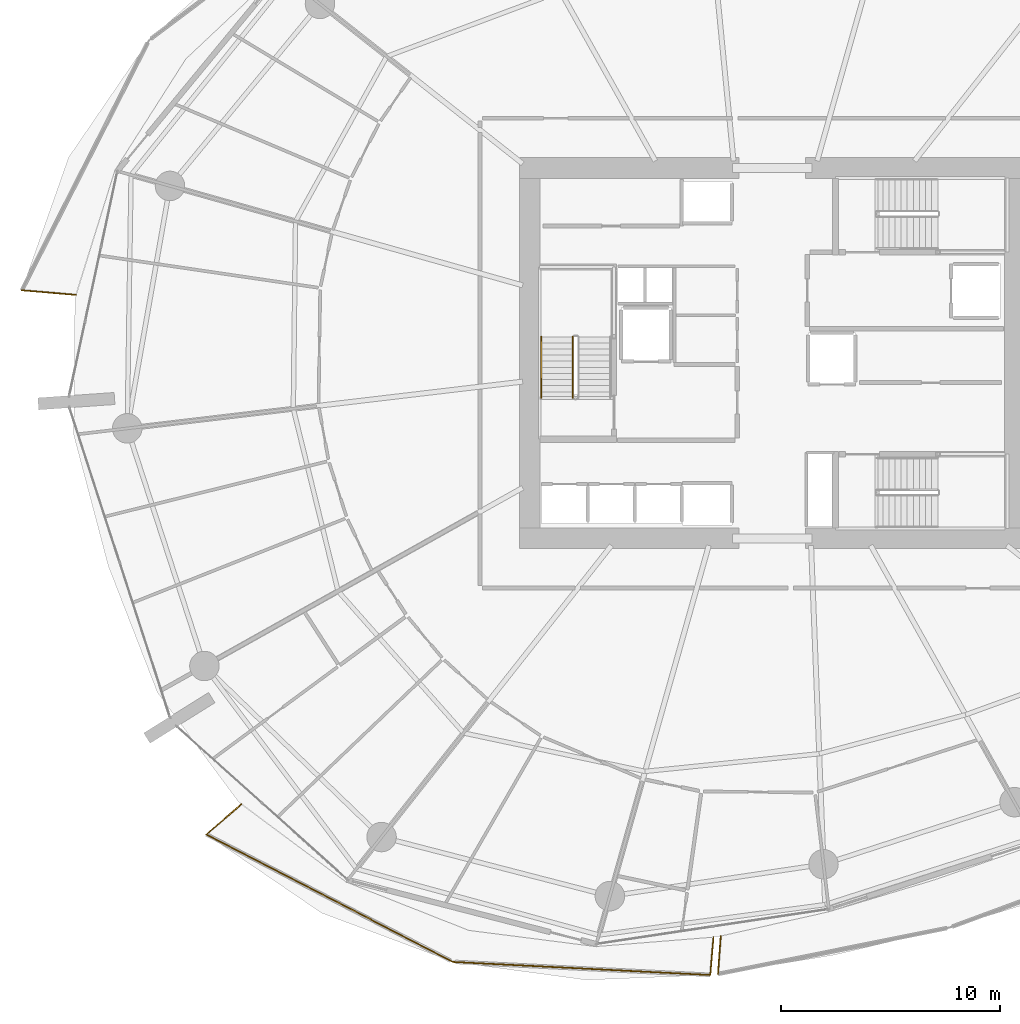
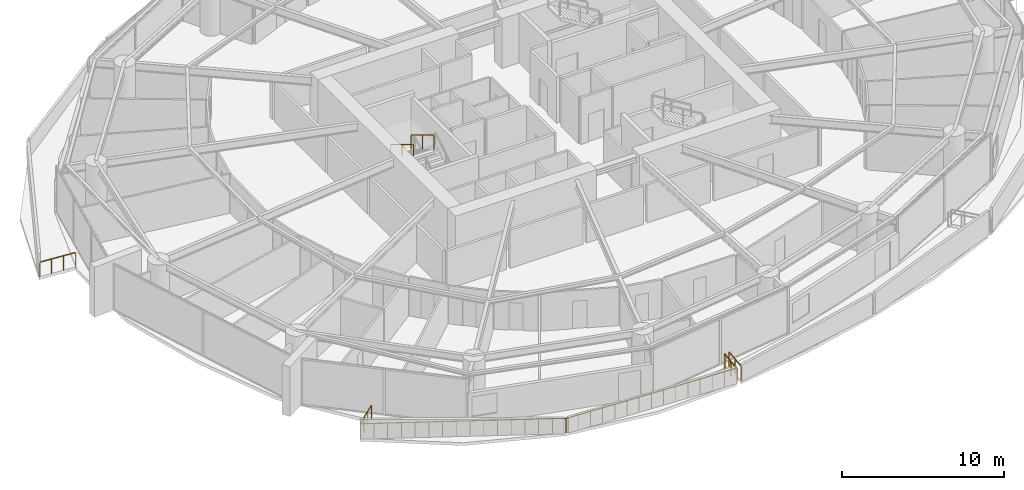
# One storey, part 25 of 31: 8 railings.
"""IFC4 building model written with IfcOpenShell, lengths in metres."""

from ifc_helpers import new_model, si_unit, direction, frame, origin, origin_2d, place, context, subcontext, project, spatial, rectangle, extrude, material, type_object, element, save


model = new_model("IFC4")

# Units and contexts
model_context = context("Model", 3, precision=1e-05, world=origin(), true_north=direction((0.0, 1.0)))
body_context = subcontext(model_context, "Body", "Model", "MODEL_VIEW")
ifc_project = project(units=[si_unit("LENGTHUNIT", "METRE"), si_unit("AREAUNIT", "SQUARE_METRE"), si_unit("VOLUMEUNIT", "CUBIC_METRE"), si_unit("PLANEANGLEUNIT", "RADIAN"), si_unit("MASSUNIT", "GRAM", prefix="KILO")], contexts=[model_context])

# Site, building, storey
site_placement = place(None, origin())
site = spatial("IfcSite", under=ifc_project, at=site_placement, CompositionType="ELEMENT")
building_placement = place(site_placement, origin())
building = spatial("IfcBuilding", under=site, at=building_placement, Name="Kazma Halo Residences", CompositionType="ELEMENT")
storey_placement = place(building_placement, frame((0.0, 0.0, 37.64990234375)))
storey = spatial("IfcBuildingStorey", under=building, at=storey_placement, Name="L08", CompositionType="ELEMENT", Elevation=37.64990234375)

# Railings
ifc_material_1 = material(Name="Aluminium AW-6063 T6 Brushed Cap Rail", Category="aluminium")
railing_type_1 = type_object("IfcRailingType", Name="RLG-BAL-CAP-1120", PredefinedType="BALUSTRADE", material=ifc_material_1)
railing_1_placement = place(storey_placement, frame((14.075439453125, 44.87841796875, 0.0)))
element("IfcRailing", 1, at=railing_1_placement, inside=storey, type_object=railing_type_1, Name="L08 NW wave balcony guard 4", PredefinedType="BALUSTRADE", context=body_context, shape_type="SweptSolid", body=[
    extrude(rectangle(XDim=0.050048828125, YDim=0.050048828125, at=origin_2d()), frame((0.04248046875, -0.003662109375, 1.09521484375), z_axis=(0.99642606074, -0.084469553555, 0.0), x_axis=(0.084469553555, 0.99642606074, 0.0)), (0.0, 0.0, 1.0), 2.397705078125),
    extrude(rectangle(XDim=0.0400390625, YDim=0.0400390625, at=origin_2d()), origin(), (0.0, 0.0, 1.0), 1.05810546875),
    extrude(rectangle(XDim=0.0400390625, YDim=0.0400390625, at=origin_2d()), frame((0.82470703125, -0.06982421875, 0.0)), (0.0, 0.0, 1.0), 1.05810546875),
    extrude(rectangle(XDim=0.0400390625, YDim=0.0400390625, at=origin_2d()), frame((1.649169921875, -0.139892578125, 0.0)), (0.0, 0.0, 1.0), 1.05810546875),
    extrude(rectangle(XDim=0.0400390625, YDim=0.0400390625, at=origin_2d()), frame((2.473876953125, -0.209716796875, 0.0)), (0.0, 0.0, 1.0), 1.05810546875),
])
railing_2_placement = place(storey_placement, frame((24.124267578125, 21.354736328125, 0.0)))
element("IfcRailing", 2, at=railing_2_placement, inside=storey, type_object=railing_type_1, Name="L08 SW wave balcony guard 1", PredefinedType="BALUSTRADE", context=body_context, shape_type="SweptSolid", body=[
    extrude(rectangle(XDim=0.050048828125, YDim=0.050048828125, at=origin_2d()), frame((-0.0322265625, -0.02783203125, 1.09521484375), z_axis=(-0.756401812862, -0.65410725229, 0.0), x_axis=(0.65410725229, -0.756401812862, 0.0)), (0.0, 0.0, 1.0), 2.027099609375),
    extrude(rectangle(XDim=0.0400390625, YDim=0.0400390625, at=origin_2d()), origin(), (0.0, 0.0, 1.0), 1.05810546875),
    extrude(rectangle(XDim=0.0400390625, YDim=0.0400390625, at=origin_2d()), frame((-0.532470703125, -0.46044921875, 0.0)), (0.0, 0.0, 1.0), 1.05810546875),
    extrude(rectangle(XDim=0.0400390625, YDim=0.0400390625, at=origin_2d()), frame((-1.065185546875, -0.921142578125, 0.0)), (0.0, 0.0, 1.0), 1.05810546875),
    extrude(rectangle(XDim=0.0400390625, YDim=0.0400390625, at=origin_2d()), frame((-1.59765625, -1.381591796875, 0.0)), (0.0, 0.0, 1.0), 1.05810546875),
])
railing_3_placement = place(storey_placement, frame((22.526611328125, 19.97314453125, 0.0)))
element("IfcRailing", 3, at=railing_3_placement, inside=storey, type_object=railing_type_1, Name="L08 SW wave balcony guard 2", PredefinedType="BALUSTRADE", context=body_context, shape_type="SweptSolid", body=[
    extrude(rectangle(XDim=0.050048828125, YDim=0.050048828125, at=origin_2d()), frame((0.037841796875, -0.01953125, 1.09521484375), z_axis=(0.888173808226, -0.459507656499, 0.0), x_axis=(0.459507656499, 0.888173808226, 0.0)), (0.0, 0.0, 1.0), 12.612060546875),
    extrude(rectangle(XDim=0.0400390625, YDim=0.0400390625, at=origin_2d()), origin(), (0.0, 0.0, 1.0), 1.05810546875),
    extrude(rectangle(XDim=0.0400390625, YDim=0.0400390625, at=origin_2d()), frame((0.751708984375, -0.388916015625, 0.0)), (0.0, 0.0, 1.0), 1.05810546875),
    extrude(rectangle(XDim=0.0400390625, YDim=0.0400390625, at=origin_2d()), frame((1.503662109375, -0.77783203125, 0.0)), (0.0, 0.0, 1.0), 1.05810546875),
    extrude(rectangle(XDim=0.0400390625, YDim=0.0400390625, at=origin_2d()), frame((2.25537109375, -1.1669921875, 0.0)), (0.0, 0.0, 1.0), 1.05810546875),
    extrude(rectangle(XDim=0.0400390625, YDim=0.0400390625, at=origin_2d()), frame((3.00732421875, -1.555908203125, 0.0)), (0.0, 0.0, 1.0), 1.05810546875),
    extrude(rectangle(XDim=0.0400390625, YDim=0.0400390625, at=origin_2d()), frame((3.759033203125, -1.94482421875, 0.0)), (0.0, 0.0, 1.0), 1.05810546875),
    extrude(rectangle(XDim=0.0400390625, YDim=0.0400390625, at=origin_2d()), frame((4.510986328125, -2.333740234375, 0.0)), (0.0, 0.0, 1.0), 1.05810546875),
    extrude(rectangle(XDim=0.0400390625, YDim=0.0400390625, at=origin_2d()), frame((5.2626953125, -2.72265625, 0.0)), (0.0, 0.0, 1.0), 1.05810546875),
    extrude(rectangle(XDim=0.0400390625, YDim=0.0400390625, at=origin_2d()), frame((6.0146484375, -3.11181640625, 0.0)), (0.0, 0.0, 1.0), 1.05810546875),
    extrude(rectangle(XDim=0.0400390625, YDim=0.0400390625, at=origin_2d()), frame((6.766357421875, -3.500732421875, 0.0)), (0.0, 0.0, 1.0), 1.05810546875),
    extrude(rectangle(XDim=0.0400390625, YDim=0.0400390625, at=origin_2d()), frame((7.518310546875, -3.8896484375, 0.0)), (0.0, 0.0, 1.0), 1.05810546875),
    extrude(rectangle(XDim=0.0400390625, YDim=0.0400390625, at=origin_2d()), frame((8.27001953125, -4.278564453125, 0.0)), (0.0, 0.0, 1.0), 1.05810546875),
    extrude(rectangle(XDim=0.0400390625, YDim=0.0400390625, at=origin_2d()), frame((9.02197265625, -4.66748046875, 0.0)), (0.0, 0.0, 1.0), 1.05810546875),
    extrude(rectangle(XDim=0.0400390625, YDim=0.0400390625, at=origin_2d()), frame((9.773681640625, -5.056640625, 0.0)), (0.0, 0.0, 1.0), 1.05810546875),
    extrude(rectangle(XDim=0.0400390625, YDim=0.0400390625, at=origin_2d()), frame((10.525634765625, -5.445556640625, 0.0)), (0.0, 0.0, 1.0), 1.05810546875),
    extrude(rectangle(XDim=0.0400390625, YDim=0.0400390625, at=origin_2d()), frame((11.27734375, -5.83447265625, 0.0)), (0.0, 0.0, 1.0), 1.05810546875),
])
railing_4_placement = place(storey_placement, frame((33.803955078125, 14.138671875, 0.0)))
element("IfcRailing", 4, at=railing_4_placement, inside=storey, type_object=railing_type_1, Name="L08 SW wave balcony guard 3", PredefinedType="BALUSTRADE", context=body_context, shape_type="SweptSolid", body=[
    extrude(rectangle(XDim=0.050048828125, YDim=0.050048828125, at=origin_2d()), frame((0.04248046875, -0.002197265625, 1.09521484375), z_axis=(0.998712596491, -0.050726222107, 0.0), x_axis=(0.050726222107, 0.998712596491, 0.0)), (0.0, 0.0, 1.0), 11.71142578125),
    extrude(rectangle(XDim=0.0400390625, YDim=0.0400390625, at=origin_2d()), origin(), (0.0, 0.0, 1.0), 1.05810546875),
    extrude(rectangle(XDim=0.0400390625, YDim=0.0400390625, at=origin_2d()), frame((0.841552734375, -0.042724609375, 0.0)), (0.0, 0.0, 1.0), 1.05810546875),
    extrude(rectangle(XDim=0.0400390625, YDim=0.0400390625, at=origin_2d()), frame((1.68310546875, -0.08544921875, 0.0)), (0.0, 0.0, 1.0), 1.05810546875),
    extrude(rectangle(XDim=0.0400390625, YDim=0.0400390625, at=origin_2d()), frame((2.524658203125, -0.128173828125, 0.0)), (0.0, 0.0, 1.0), 1.05810546875),
    extrude(rectangle(XDim=0.0400390625, YDim=0.0400390625, at=origin_2d()), frame((3.365966796875, -0.1708984375, 0.0)), (0.0, 0.0, 1.0), 1.05810546875),
    extrude(rectangle(XDim=0.0400390625, YDim=0.0400390625, at=origin_2d()), frame((4.20751953125, -0.213623046875, 0.0)), (0.0, 0.0, 1.0), 1.05810546875),
    extrude(rectangle(XDim=0.0400390625, YDim=0.0400390625, at=origin_2d()), frame((5.049072265625, -0.25634765625, 0.0)), (0.0, 0.0, 1.0), 1.05810546875),
    extrude(rectangle(XDim=0.0400390625, YDim=0.0400390625, at=origin_2d()), frame((5.890625, -0.29931640625, 0.0)), (0.0, 0.0, 1.0), 1.05810546875),
    extrude(rectangle(XDim=0.0400390625, YDim=0.0400390625, at=origin_2d()), frame((6.732177734375, -0.342041015625, 0.0)), (0.0, 0.0, 1.0), 1.05810546875),
    extrude(rectangle(XDim=0.0400390625, YDim=0.0400390625, at=origin_2d()), frame((7.57373046875, -0.384765625, 0.0)), (0.0, 0.0, 1.0), 1.05810546875),
    extrude(rectangle(XDim=0.0400390625, YDim=0.0400390625, at=origin_2d()), frame((8.415283203125, -0.427490234375, 0.0)), (0.0, 0.0, 1.0), 1.05810546875),
    extrude(rectangle(XDim=0.0400390625, YDim=0.0400390625, at=origin_2d()), frame((9.256591796875, -0.47021484375, 0.0)), (0.0, 0.0, 1.0), 1.05810546875),
    extrude(rectangle(XDim=0.0400390625, YDim=0.0400390625, at=origin_2d()), frame((10.09814453125, -0.512939453125, 0.0)), (0.0, 0.0, 1.0), 1.05810546875),
    extrude(rectangle(XDim=0.0400390625, YDim=0.0400390625, at=origin_2d()), frame((10.939697265625, -0.5556640625, 0.0)), (0.0, 0.0, 1.0), 1.05810546875),
    extrude(rectangle(XDim=0.0400390625, YDim=0.0400390625, at=origin_2d()), frame((11.78125, -0.598388671875, 0.0)), (0.0, 0.0, 1.0), 1.05810546875),
])
railing_5_placement = place(storey_placement, frame((45.585205078125, 13.540283203125, 0.0)))
element("IfcRailing", 5, at=railing_5_placement, inside=storey, type_object=railing_type_1, Name="L08 SW wave balcony guard 4", PredefinedType="BALUSTRADE", context=body_context, shape_type="SweptSolid", body=[
    extrude(rectangle(XDim=0.050048828125, YDim=0.050048828125, at=origin_2d()), frame((0.003662109375, 0.04248046875, 1.09521484375), z_axis=(0.084511701188, 0.996422486881, 0.0), x_axis=(-0.996422486881, 0.084511701188, 0.0)), (0.0, 0.0, 1.0), 1.651123046875),
    extrude(rectangle(XDim=0.0400390625, YDim=0.0400390625, at=origin_2d()), origin(), (0.0, 0.0, 1.0), 1.05810546875),
    extrude(rectangle(XDim=0.0400390625, YDim=0.0400390625, at=origin_2d()), frame((0.0732421875, 0.864990234375, 0.0)), (0.0, 0.0, 1.0), 1.05810546875),
    extrude(rectangle(XDim=0.0400390625, YDim=0.0400390625, at=origin_2d()), frame((0.146728515625, 1.72998046875, 0.0)), (0.0, 0.0, 1.0), 1.05810546875),
])
railing_6_placement = place(storey_placement, frame((46.064208984375, 15.320068359375, 0.0)))
element("IfcRailing", 6, at=railing_6_placement, inside=storey, type_object=railing_type_1, Name="L08 SSE wave balcony guard 1", PredefinedType="BALUSTRADE", context=body_context, shape_type="SweptSolid", body=[
    extrude(rectangle(XDim=0.050048828125, YDim=0.050048828125, at=origin_2d()), frame((-0.003173828125, -0.04248046875, 1.09521484375), z_axis=(-0.072350928263, -0.997379237391, 0.0), x_axis=(0.997379237391, -0.072350928263, 0.0)), (0.0, 0.0, 1.0), 1.659423828125),
    extrude(rectangle(XDim=0.0400390625, YDim=0.0400390625, at=origin_2d()), origin(), (0.0, 0.0, 1.0), 1.05810546875),
    extrude(rectangle(XDim=0.0400390625, YDim=0.0400390625, at=origin_2d()), frame((-0.06298828125, -0.8701171875, 0.0)), (0.0, 0.0, 1.0), 1.05810546875),
    extrude(rectangle(XDim=0.0400390625, YDim=0.0400390625, at=origin_2d()), frame((-0.126220703125, -1.739990234375, 0.0)), (0.0, 0.0, 1.0), 1.05810546875),
])
ifc_material_2 = material(Name="Painted Steel S355", Category="steel")
railing_type_2 = type_object("IfcRailingType", Name="RLG-STAIR-GRD-1100", PredefinedType="GUARDRAIL", material=ifc_material_2)
railing_7_placement = place(storey_placement, frame((39.300048828125, 42.75, 2.045654296875)))
element("IfcRailing", 7, at=railing_7_placement, inside=storey, type_object=railing_type_2, Name="L08 ST-01 stair guard 3", PredefinedType="GUARDRAIL", context=body_context, shape_type="SweptSolid", body=[
    extrude(rectangle(XDim=0.050048828125, YDim=0.050048828125, at=origin_2d()), frame((0.0, -0.036376953125, 1.09716796875), z_axis=(0.0, -0.854202870247, 0.519939858505), x_axis=(1.0, 0.0, 0.0)), (0.0, 0.0, 1.0), 3.19287109375),
    extrude(rectangle(XDim=0.0400390625, YDim=0.0400390625, at=origin_2d()), origin(), (0.0, 0.0, 1.0), 1.0380859375),
    extrude(rectangle(XDim=0.0400390625, YDim=0.0400390625, at=origin_2d()), frame((0.0, -1.39990234375, 0.85205078125)), (0.0, 0.0, 1.0), 1.0380859375),
    extrude(rectangle(XDim=0.0400390625, YDim=0.0400390625, at=origin_2d()), frame((0.0, -2.800048828125, 1.704345703125)), (0.0, 0.0, 1.0), 1.0380859375),
])
ifc_material_3 = material(Name="Brushed Stainless Steel", Category="steel")
railing_type_3 = type_object("IfcRailingType", Name="RLG-STAIR-HND-900", PredefinedType="HANDRAIL", material=ifc_material_3)
railing_8_placement = place(storey_placement, frame((37.85009765625, 42.75, 2.045654296875)))
element("IfcRailing", 8, at=railing_8_placement, inside=storey, type_object=railing_type_3, Name="L08 ST-01 stair handrail 2", PredefinedType="HANDRAIL", context=body_context, shape_type="SweptSolid", body=[
    extrude(rectangle(XDim=0.050048828125, YDim=0.050048828125, at=origin_2d()), frame((0.0, -0.036376953125, 0.89697265625), z_axis=(0.0, -0.854202870247, 0.519939858505), x_axis=(1.0, 0.0, 0.0)), (0.0, 0.0, 1.0), 3.19287109375),
    extrude(rectangle(XDim=0.0400390625, YDim=0.0400390625, at=origin_2d()), origin(), (0.0, 0.0, 1.0), 0.837890625),
    extrude(rectangle(XDim=0.0400390625, YDim=0.0400390625, at=origin_2d()), frame((0.0, -1.39990234375, 0.85205078125)), (0.0, 0.0, 1.0), 0.837890625),
    extrude(rectangle(XDim=0.0400390625, YDim=0.0400390625, at=origin_2d()), frame((0.0, -2.800048828125, 1.704345703125)), (0.0, 0.0, 1.0), 0.837890625),
])

save(model, "model.ifc")
